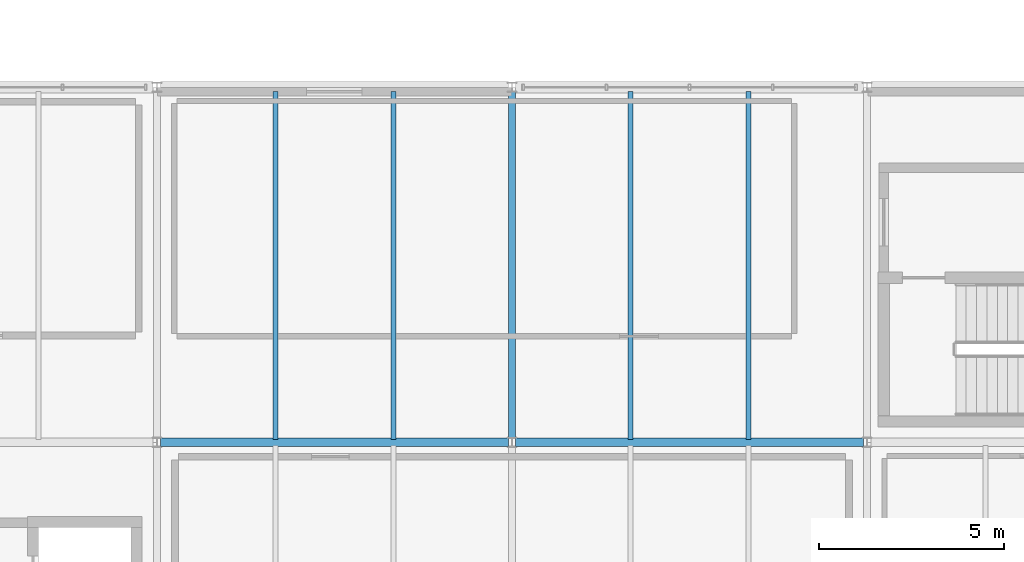
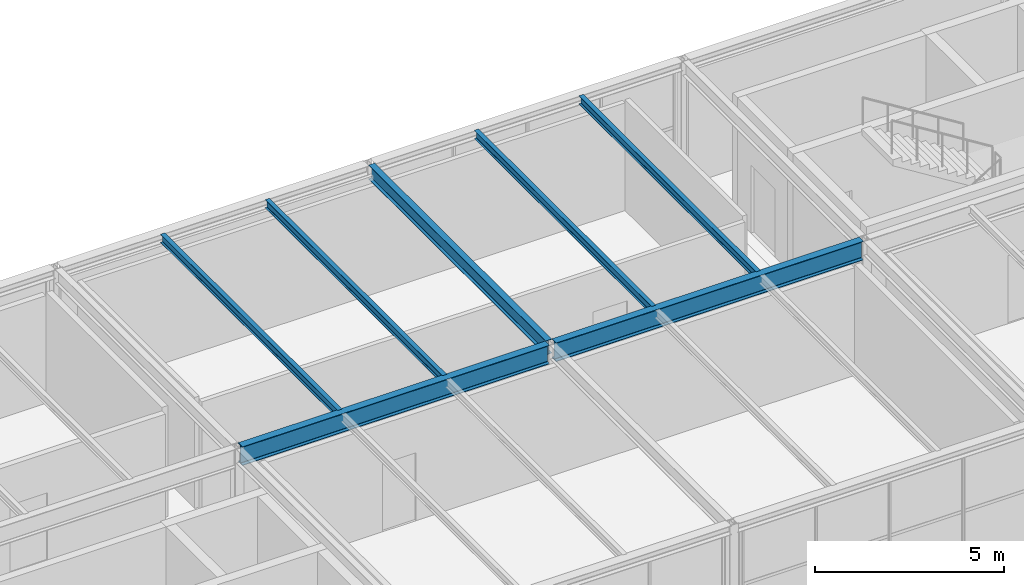
# One storey, part 21 of 39: 7 beams.
"""IFC4 building model written with IfcOpenShell, lengths in metres."""

from ifc_helpers import new_model, si_unit, direction, frame, origin, origin_2d, place, context, subcontext, project, spatial, i_section, extrude, material, material_profile, profile_set, type_object, element, save


model = new_model("IFC4")

# Units and contexts
model_context = context("Model", 3, precision=1e-05, world=origin(), true_north=direction((0.0, 1.0)))
body_context = subcontext(model_context, "Body", "Model", "MODEL_VIEW")
ifc_project = project(units=[si_unit("LENGTHUNIT", "METRE"), si_unit("AREAUNIT", "SQUARE_METRE"), si_unit("VOLUMEUNIT", "CUBIC_METRE"), si_unit("PLANEANGLEUNIT", "RADIAN"), si_unit("MASSUNIT", "GRAM", prefix="KILO")], contexts=[model_context])

# Site, building, storey
site_placement = place(None, origin())
site = spatial("IfcSite", under=ifc_project, at=site_placement, CompositionType="ELEMENT")
building_placement = place(site_placement, origin())
building = spatial("IfcBuilding", under=site, at=building_placement, Name="Coralgate Yard Interchange", CompositionType="ELEMENT")
storey_placement = place(building_placement, frame((0.0, 0.0, 18.89990234375)))
storey = spatial("IfcBuildingStorey", under=building, at=storey_placement, Name="L04", CompositionType="ELEMENT", Elevation=18.89990234375)

# Beams
ifc_material = material(Name="Structural steel S355J2", Category="steel")
ifc_material_profile_1 = material_profile(ifc_material, i_section(OverallWidth=0.1904296875, OverallDepth=0.45703125, WebThickness=0.009033203125, FlangeThickness=0.014404296875, FilletRadius=0.01025390625, at=origin_2d()), Name="UB 457x191x74")
ifc_profile_set_1 = profile_set([ifc_material_profile_1], Name="Structural steel S355J2")
beam_type_1 = type_object("IfcBeamType", Name="BM-SB-2", PredefinedType="BEAM", material=ifc_profile_set_1)
beam_placement = place(storey_placement, frame((38.39990234375, 9.703369140625, 3.7216796875), z_axis=(0.0, 1.0, 0.0), x_axis=(-1.0, 0.0, 0.0)))
element("IfcBeam", 1, at=beam_placement, inside=storey, type_object=beam_type_1, Name="L04 primary grid girder X4 Y1-2", PredefinedType="BEAM", context=body_context, shape_type="SweptSolid", body=[
    extrude(i_section(OverallWidth=0.1904296875, OverallDepth=0.45703125, WebThickness=0.009033203125, FlangeThickness=0.014404296875, FilletRadius=0.01025390625, at=origin_2d()), origin(), (0.0, 0.0, 1.0), 9.393310546875),
])
ifc_material_profile_2 = material_profile(ifc_material, i_section(OverallWidth=0.228271484375, OverallDepth=0.607666015625, WebThickness=0.010986328125, FlangeThickness=0.017333984375, FilletRadius=0.0126953125, at=origin_2d()), Name="UB 610x229x113")
ifc_profile_set_2 = profile_set([ifc_material_profile_2], Name="Structural steel S355J2")
beam_type_2 = type_object("IfcBeamType", Name="BM-SG-5", PredefinedType="BEAM", material=ifc_profile_set_2)
for number, where, z_axis, x_axis, name in (
    (2, (28.8994140625, 9.60009765625, 3.646240234375), (1.0, 0.0, 0.0), (0.0, 1.0, 0.0), "L04 primary grid beam Y1 X3-4"),
    (3, (38.49951171875, 9.60009765625, 3.646240234375), (1.0, 0.0, 0.0), (0.0, 1.0, 0.0), "L04 primary grid beam Y1 X4-5"),
):
    element("IfcBeam", number, at=place(storey_placement, frame(where, z_axis=z_axis, x_axis=x_axis)), inside=storey, type_object=beam_type_2, Name=name, PredefinedType="BEAM", context=body_context, shape_type="SweptSolid", body=[
        extrude(i_section(OverallWidth=0.228271484375, OverallDepth=0.607666015625, WebThickness=0.010986328125, FlangeThickness=0.017333984375, FilletRadius=0.0126953125, at=origin_2d()), origin(), (0.0, 0.0, 1.0), 9.401123046875),
    ])
ifc_material_profile_3 = material_profile(ifc_material, i_section(OverallWidth=0.135009765625, OverallDepth=0.27001953125, WebThickness=0.006591796875, FlangeThickness=0.01025390625, FilletRadius=0.014892578125, at=origin_2d()), Name="IPE 270")
ifc_profile_set_3 = profile_set([ifc_material_profile_3], Name="Structural steel S355J2")
beam_type_3 = type_object("IfcBeamType", Name="BM-SJ-3", PredefinedType="JOIST", material=ifc_profile_set_3)
for number, where, z_axis, x_axis, name in (
    (4, (32.0, 9.68408203125, 3.815185546875), (0.0, 1.0, 0.0), (-1.0, 0.0, 0.0), "L04 composite floor joist 3-1-1"),
    (5, (35.199951171875, 9.68408203125, 3.815185546875), (0.0, 1.0, 0.0), (-1.0, 0.0, 0.0), "L04 composite floor joist 3-1-2"),
    (6, (41.60009765625, 9.68408203125, 3.815185546875), (0.0, 1.0, 0.0), (-1.0, 0.0, 0.0), "L04 composite floor joist 4-1-1"),
    (7, (44.800048828125, 9.68408203125, 3.815185546875), (0.0, 1.0, 0.0), (-1.0, 0.0, 0.0), "L04 composite floor joist 4-1-2"),
):
    element("IfcBeam", number, at=place(storey_placement, frame(where, z_axis=z_axis, x_axis=x_axis)), inside=storey, type_object=beam_type_3, Name=name, PredefinedType="JOIST", context=body_context, shape_type="SweptSolid", body=[
        extrude(i_section(OverallWidth=0.135009765625, OverallDepth=0.27001953125, WebThickness=0.006591796875, FlangeThickness=0.01025390625, FilletRadius=0.014892578125, at=origin_2d()), origin(), (0.0, 0.0, 1.0), 9.39599609375),
    ])

save(model, "model.ifc")
